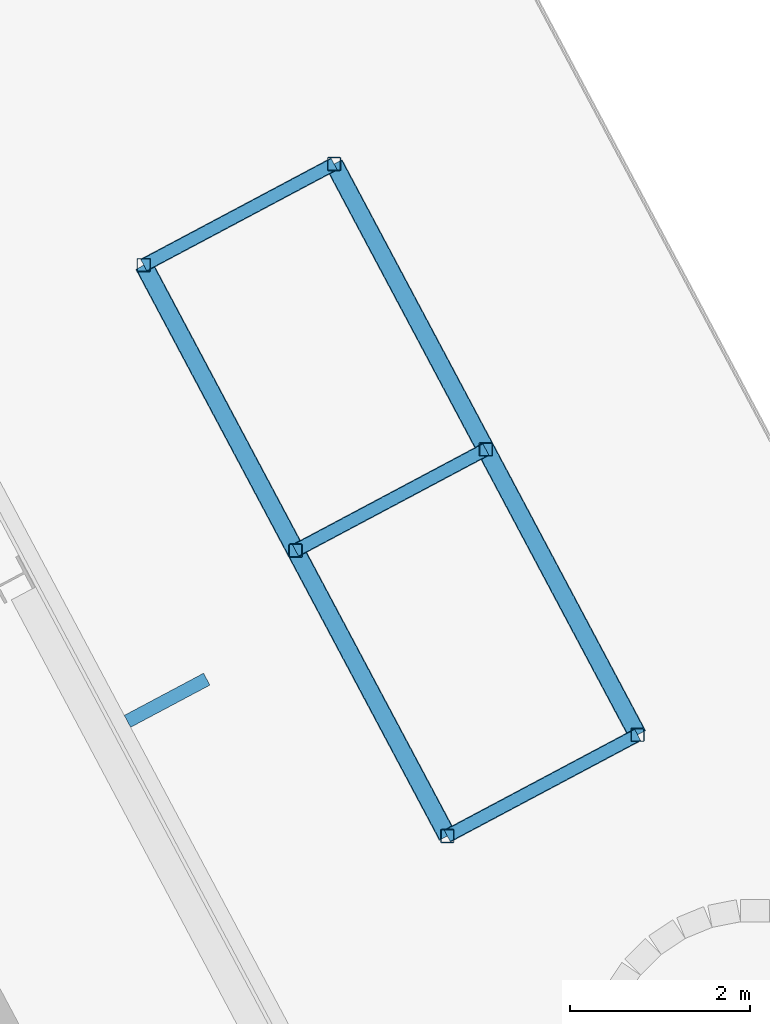
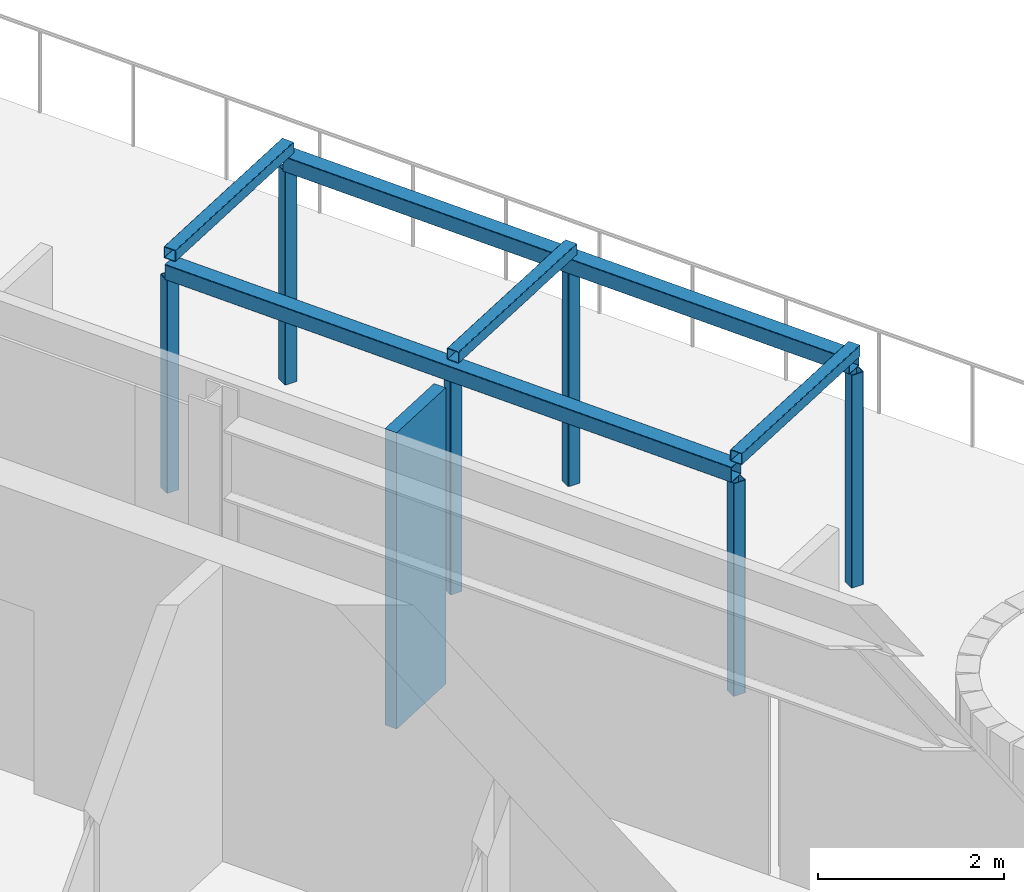
# One storey, part 11 of 30: 12 members, 1 element without a shape of its own.
"""IFC4 building model written with IfcOpenShell, lengths in metres."""

from ifc_helpers import new_model, si_unit, direction, frame, origin, origin_2d, place, context, subcontext, project, spatial, rectangle, hollow_rectangle, extrude, material, layer, layer_set, material_profile, profile_set, type_object, element, aggregate, save


model = new_model("IFC4")

# Units and contexts
model_context = context("Model", 3, precision=1e-05, world=origin(), true_north=direction((0.0, 1.0)))
body_context = subcontext(model_context, "Body", "Model", "MODEL_VIEW")
ifc_project = project(units=[si_unit("LENGTHUNIT", "METRE"), si_unit("AREAUNIT", "SQUARE_METRE"), si_unit("VOLUMEUNIT", "CUBIC_METRE"), si_unit("PLANEANGLEUNIT", "RADIAN"), si_unit("MASSUNIT", "GRAM", prefix="KILO")], contexts=[model_context])

# Site, building, storey
site_placement = place(None, origin())
site = spatial("IfcSite", under=ifc_project, at=site_placement, CompositionType="ELEMENT")
building_placement = place(site_placement, origin())
building = spatial("IfcBuilding", under=site, at=building_placement, Name="Cormorant Relay Tower", CompositionType="ELEMENT")
storey_placement = place(building_placement, frame((0.0, 0.0, 258.0)))
storey = spatial("IfcBuildingStorey", under=building, at=storey_placement, Name="L57", CompositionType="ELEMENT", Elevation=258.0)

# Curtain wall, member
ifc_material_1 = material(Name="Aluminium 6063-T6 anodised bronze", Category="aluminium")
ifc_layer = layer(ifc_material_1, 0.199951171875)
ifc_layer_set = layer_set([ifc_layer], Name="CW1 unitised bronze curtain wall with vertical fins")
curtain_wall_type = type_object("IfcCurtainWallType", Name="CW1 unitised bronze curtain wall with vertical fins", PredefinedType="NOTDEFINED", material=ifc_layer_set)
curtain_wall_placement = place(storey_placement, origin())
curtain_wall = element("IfcCurtainWall", 1, at=curtain_wall_placement, inside=storey, type_object=curtain_wall_type, Name="CW1 curtain wall 6", PredefinedType="NOTDEFINED")
ifc_material_2 = material(Name="Aluminium 6063-T6 anodised bronze", Category="aluminium")
ifc_material_profile_1 = material_profile(ifc_material_2, rectangle(XDim=0.14990234375, YDim=1.0, at=origin_2d()), Name="AL 150x1000")
ifc_profile_set_1 = profile_set([ifc_material_profile_1], Name="Aluminium 6063-T6 anodised bronze")
member_type_1 = type_object("IfcMemberType", Name="CW1 bronze fin mullion 150 x 1000", PredefinedType="MULLION", material=ifc_profile_set_1)
member_1_placement = place(storey_placement, frame((36.875, 17.341552734375, 0.0), z_axis=(0.0, 0.0, 1.0), x_axis=(-0.469471562786, 0.882947592859, 0.0)))
member_1 = element("IfcMember", 2, at=member_1_placement, type_object=member_type_1, Name="CW1 fin 6.3", PredefinedType="MULLION", context=body_context, shape_type="SweptSolid", body=[
    extrude(rectangle(XDim=0.14990234375, YDim=1.0, at=origin_2d()), origin(), (0.0, 0.0, 1.0), 3.89990234375),
])
aggregate(curtain_wall, [member_1])

# Members
ifc_material_3 = material(Name="Steel ASTM A500 Grade C (Fy 345 MPa)", Category="steel")
ifc_material_profile_2 = material_profile(ifc_material_3, hollow_rectangle(XDim=0.203125, YDim=0.203125, WallThickness=0.0087890625, InnerFilletRadius=0.00439453125, OuterFilletRadius=0.01318359375, at=origin_2d()), Name="HSS203x203x9")
ifc_profile_set_2 = profile_set([ifc_material_profile_2], Name="Steel ASTM A500 Grade C (Fy 345 MPa)")
member_type_2 = type_object("IfcMemberType", Name="Pergola beam HSS203x203x9", PredefinedType="RAFTER", material=ifc_profile_set_2)
for number, where, z_axis, x_axis, name in (
    (3, (39.995849609375, 15.829833984375, 2.901611328125), (-0.469466754463, 0.882950149473, 0.0), (-0.882950149473, -0.469466754463, 0.0), "Pergola beam"),
    (4, (42.114990234375, 16.95654296875, 2.901611328125), (-0.469466754463, 0.882950149473, 0.0), (-0.882950149473, -0.469466754463, 0.0), "Pergola beam"),
):
    element("IfcMember", number, at=place(storey_placement, frame(where, z_axis=z_axis, x_axis=x_axis)), inside=storey, type_object=member_type_2, Name=name, PredefinedType="RAFTER", context=body_context, shape_type="SweptSolid", body=[
        extrude(hollow_rectangle(XDim=0.203125, YDim=0.203125, WallThickness=0.0087890625, InnerFilletRadius=0.00439453125, OuterFilletRadius=0.01318359375, at=origin_2d()), origin(), (0.0, 0.0, 1.0), 7.199951171875),
    ])
ifc_material_4 = material(Name="Steel ASTM A500 Grade C (Fy 345 MPa)", Category="steel")
ifc_material_profile_3 = material_profile(ifc_material_4, hollow_rectangle(XDim=0.15234375, YDim=0.15234375, WallThickness=0.0087890625, InnerFilletRadius=0.00439453125, OuterFilletRadius=0.01318359375, at=origin_2d()), Name="HSS152x152x9")
ifc_profile_set_3 = profile_set([ifc_material_profile_3], Name="Steel ASTM A500 Grade C (Fy 345 MPa)")
member_type_3 = type_object("IfcMemberType", Name="Pergola post HSS152x152x9", PredefinedType="POST", material=ifc_profile_set_3)
for number, where, z_axis, x_axis, name in (
    (5, (39.995849609375, 15.829833984375, 0.0), (0.0, 0.0, 1.0), (1.0, 0.0, 0.0), "Pergola post"),
    (6, (38.305908203125, 19.008544921875, 0.0), (0.0, 0.0, 1.0), (1.0, 0.0, 0.0), "Pergola post"),
    (7, (36.61572265625, 22.18701171875, 0.0), (0.0, 0.0, 1.0), (1.0, 0.0, 0.0), "Pergola post"),
    (8, (42.114990234375, 16.95654296875, 0.0), (0.0, 0.0, 1.0), (1.0, 0.0, 0.0), "Pergola post"),
    (9, (40.4248046875, 20.13525390625, 0.0), (0.0, 0.0, 1.0), (1.0, 0.0, 0.0), "Pergola post"),
    (10, (38.73486328125, 23.313720703125, 0.0), (0.0, 0.0, 1.0), (1.0, 0.0, 0.0), "Pergola post"),
):
    element("IfcMember", number, at=place(storey_placement, frame(where, z_axis=z_axis, x_axis=x_axis)), inside=storey, type_object=member_type_3, Name=name, PredefinedType="POST", context=body_context, shape_type="SweptSolid", body=[
        extrude(hollow_rectangle(XDim=0.15234375, YDim=0.15234375, WallThickness=0.0087890625, InnerFilletRadius=0.00439453125, OuterFilletRadius=0.01318359375, at=origin_2d()), origin(), (0.0, 0.0, 1.0), 2.800048828125),
    ])
ifc_material_5 = material(Name="Steel ASTM A500 Grade C (Fy 345 MPa)", Category="steel")
ifc_material_profile_4 = material_profile(ifc_material_5, hollow_rectangle(XDim=0.15234375, YDim=0.15234375, WallThickness=0.0087890625, InnerFilletRadius=0.00439453125, OuterFilletRadius=0.01318359375, at=origin_2d()), Name="HSS152x152x9")
ifc_profile_set_4 = profile_set([ifc_material_profile_4], Name="Steel ASTM A500 Grade C (Fy 345 MPa)")
member_type_4 = type_object("IfcMemberType", Name="Pergola rafter HSS152x152x9", PredefinedType="RAFTER", material=ifc_profile_set_4)
member_2_placement = place(storey_placement, frame((39.995849609375, 15.829833984375, 3.079345703125), z_axis=(0.882957622595, 0.46945269911, 0.0), x_axis=(-0.46945269911, 0.882957622595, 0.0)))
element("IfcMember", 11, at=member_2_placement, inside=storey, type_object=member_type_4, Name="Pergola rafter", PredefinedType="RAFTER", context=body_context, shape_type="SweptSolid", body=[
    extrude(hollow_rectangle(XDim=0.15234375, YDim=0.15234375, WallThickness=0.0087890625, InnerFilletRadius=0.00439453125, OuterFilletRadius=0.01318359375, at=origin_2d()), origin(), (0.0, 0.0, 1.0), 2.400146484375),
])
member_3_placement = place(storey_placement, frame((38.305908203125, 19.008544921875, 3.079345703125), z_axis=(0.882935201215, 0.469494867336, 0.0), x_axis=(-0.469494867336, 0.882935201215, 0.0)))
element("IfcMember", 12, at=member_3_placement, inside=storey, type_object=member_type_4, Name="Pergola rafter", PredefinedType="RAFTER", context=body_context, shape_type="SweptSolid", body=[
    extrude(hollow_rectangle(XDim=0.15234375, YDim=0.15234375, WallThickness=0.0087890625, InnerFilletRadius=0.00439453125, OuterFilletRadius=0.01318359375, at=origin_2d()), origin(), (0.0, 0.0, 1.0), 2.39990234375),
])
member_4_placement = place(storey_placement, frame((36.61572265625, 22.18701171875, 3.079345703125), z_axis=(0.882957622595, 0.46945269911, 0.0), x_axis=(-0.46945269911, 0.882957622595, 0.0)))
element("IfcMember", 13, at=member_4_placement, inside=storey, type_object=member_type_4, Name="Pergola rafter", PredefinedType="RAFTER", context=body_context, shape_type="SweptSolid", body=[
    extrude(hollow_rectangle(XDim=0.15234375, YDim=0.15234375, WallThickness=0.0087890625, InnerFilletRadius=0.00439453125, OuterFilletRadius=0.01318359375, at=origin_2d()), origin(), (0.0, 0.0, 1.0), 2.400146484375),
])

save(model, "model.ifc")
